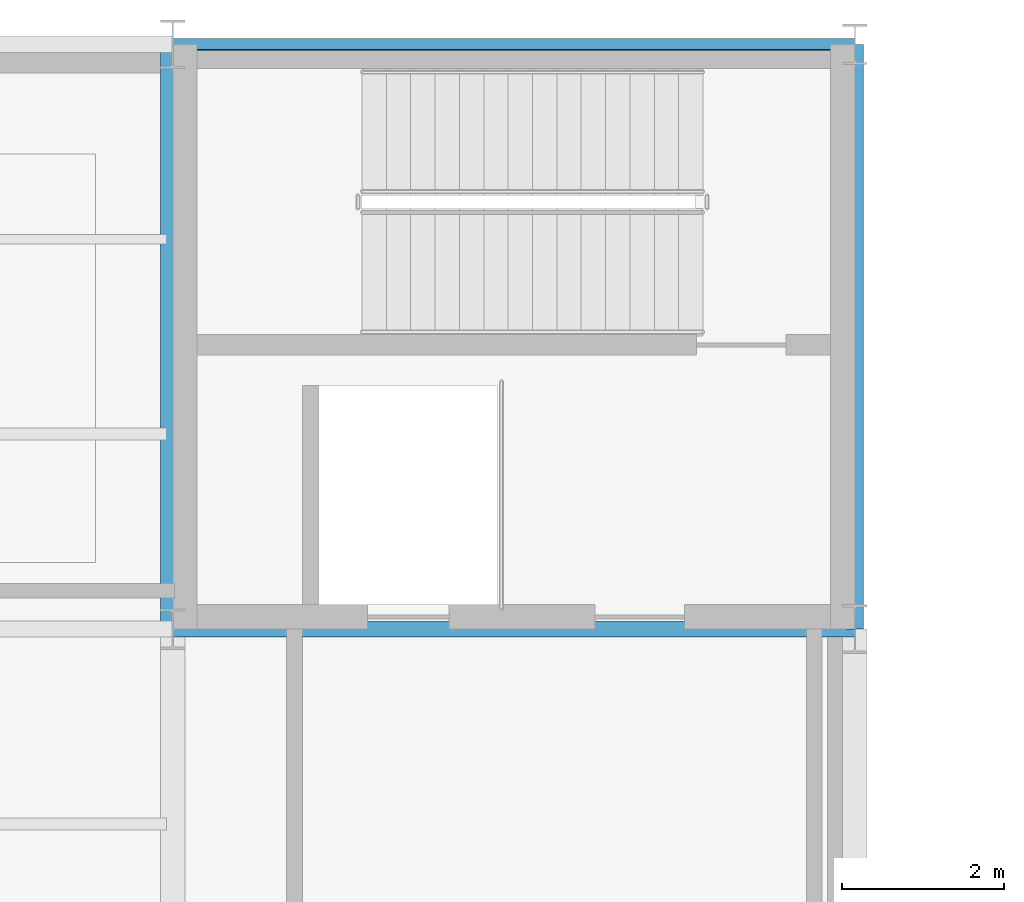
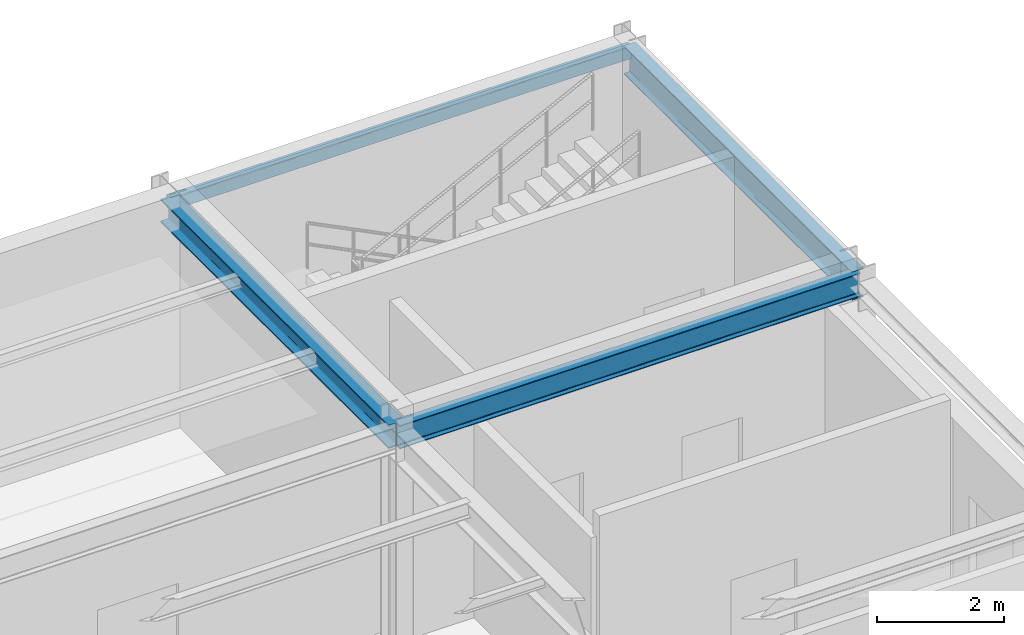
# One storey, part 60 of 106: 4 beams.
"""IFC4 building model written with IfcOpenShell, lengths in metres."""

from ifc_helpers import new_model, si_unit, derived_unit, direction, frame, origin, origin_2d, place, context, subcontext, project, spatial, hollow_rectangle, i_section, extrude, material, material_profile, profile_set, type_object, element, save


model = new_model("IFC4")

# Units and contexts
model_context = context("Model", 3, precision=1e-05, world=origin(), true_north=direction((0.0, 1.0)))
body_context = subcontext(model_context, "Body", "Model", "MODEL_VIEW")
ifc_project = project(units=[si_unit("LENGTHUNIT", "METRE"), si_unit("AREAUNIT", "SQUARE_METRE"), si_unit("VOLUMEUNIT", "CUBIC_METRE"), si_unit("PLANEANGLEUNIT", "RADIAN"), si_unit("MASSUNIT", "GRAM", prefix="KILO"), derived_unit("THERMALTRANSMITTANCEUNIT", [(si_unit("POWERUNIT", "WATT"), 1), (si_unit("AREAUNIT", "SQUARE_METRE"), -1), (si_unit("THERMODYNAMICTEMPERATUREUNIT", "KELVIN"), -1)])], contexts=[model_context])

# Site, building, storey
site_placement = place(None, origin())
site = spatial("IfcSite", under=ifc_project, at=site_placement, CompositionType="ELEMENT")
building_placement = place(site_placement, origin())
building = spatial("IfcBuilding", under=site, at=building_placement, Name="Yasenodar Specialist Clinic", CompositionType="ELEMENT")
storey_placement = place(building_placement, frame((0.0, 0.0, 4.5)))
storey = spatial("IfcBuildingStorey", under=building, at=storey_placement, Name="L01", CompositionType="ELEMENT", Elevation=4.5)

# Beams
ifc_material = material(Name="Steel S355", Category="steel")
ifc_material_profile_1 = material_profile(ifc_material, i_section(OverallWidth=0.300048828125, OverallDepth=0.449951171875, WebThickness=0.013916015625, FlangeThickness=0.02587890625, FilletRadius=0.027099609375, at=origin_2d()), Name="HEB 450")
ifc_profile_set_1 = profile_set([ifc_material_profile_1], Name="Steel S355")
beam_type_1 = type_object("IfcBeamType", Name="BM-HEB450", PredefinedType="BEAM", material=ifc_profile_set_1)
beam_1_placement = place(storey_placement, frame((113.39990234375, 104.39990234375, 4.02490234375), z_axis=(0.0, 1.0, 0.0), x_axis=(-1.0, 0.0, 0.0)))
element("IfcBeam", 1, at=beam_1_placement, inside=storey, type_object=beam_type_1, Name="L01 Primary N-S Girder", PredefinedType="BEAM", context=body_context, shape_type="SweptSolid", body=[
    extrude(i_section(OverallWidth=0.300048828125, OverallDepth=0.449951171875, WebThickness=0.013916015625, FlangeThickness=0.02587890625, FilletRadius=0.027099609375, at=origin_2d()), origin(), (0.0, 0.0, 1.0), 7.2001953125),
])
ifc_material_profile_2 = material_profile(ifc_material, i_section(OverallWidth=0.18994140625, OverallDepth=0.449951171875, WebThickness=0.009521484375, FlangeThickness=0.0146484375, FilletRadius=0.02099609375, at=origin_2d()), Name="IPE 450")
ifc_profile_set_2 = profile_set([ifc_material_profile_2], Name="Steel S355")
beam_type_2 = type_object("IfcBeamType", Name="BM-IPE450", PredefinedType="BEAM", material=ifc_profile_set_2)
beam_2_placement = place(storey_placement, frame((113.39990234375, 104.39990234375, 4.02490234375), z_axis=(1.0, 0.0, 0.0), x_axis=(0.0, 1.0, 0.0)))
element("IfcBeam", 2, at=beam_2_placement, inside=storey, type_object=beam_type_2, Name="L01 Primary E-W Girder", PredefinedType="BEAM", context=body_context, shape_type="SweptSolid", body=[
    extrude(i_section(OverallWidth=0.18994140625, OverallDepth=0.449951171875, WebThickness=0.009521484375, FlangeThickness=0.0146484375, FilletRadius=0.02099609375, at=origin_2d()), origin(), (0.0, 0.0, 1.0), 8.400146484375),
])
ifc_material_profile_3 = material_profile(ifc_material, i_section(OverallWidth=0.2099609375, OverallDepth=0.550048828125, WebThickness=0.010986328125, FlangeThickness=0.01708984375, FilletRadius=0.02392578125, at=origin_2d()), Name="IPE 550")
ifc_profile_set_3 = profile_set([ifc_material_profile_3], Name="Steel S355")
beam_type_3 = type_object("IfcBeamType", Name="BM-IPE550", PredefinedType="BEAM", material=ifc_profile_set_3)
beam_3_placement = place(storey_placement, frame((121.800048828125, 104.39990234375, 3.97509765625), z_axis=(0.0, 1.0, 0.0), x_axis=(-1.0, 0.0, 0.0)))
element("IfcBeam", 3, at=beam_3_placement, inside=storey, type_object=beam_type_3, Name="L01 Primary N-S Girder", PredefinedType="BEAM", context=body_context, shape_type="SweptSolid", body=[
    extrude(i_section(OverallWidth=0.2099609375, OverallDepth=0.550048828125, WebThickness=0.010986328125, FlangeThickness=0.01708984375, FilletRadius=0.02392578125, at=origin_2d()), origin(), (0.0, 0.0, 1.0), 7.2001953125),
])
ifc_material_profile_4 = material_profile(ifc_material, hollow_rectangle(XDim=0.14990234375, YDim=0.25, WallThickness=0.010009765625, InnerFilletRadius=0.014892578125, OuterFilletRadius=0.02490234375, at=origin_2d()), Name="RHS 250x150x10")
ifc_profile_set_4 = profile_set([ifc_material_profile_4], Name="Steel S355")
beam_type_4 = type_object("IfcBeamType", Name="SP-RHS250", PredefinedType="SPANDREL", material=ifc_profile_set_4)
beam_4_placement = place(storey_placement, frame((113.39990234375, 111.60009765625, 4.125), z_axis=(1.0, 0.0, 0.0), x_axis=(0.0, 1.0, 0.0)))
element("IfcBeam", 4, at=beam_4_placement, inside=storey, type_object=beam_type_4, Name="L01 Perimeter Spandrel Beam", PredefinedType="SPANDREL", context=body_context, shape_type="SweptSolid", body=[
    extrude(hollow_rectangle(XDim=0.14990234375, YDim=0.25, WallThickness=0.010009765625, InnerFilletRadius=0.014892578125, OuterFilletRadius=0.02490234375, at=origin_2d()), origin(), (0.0, 0.0, 1.0), 8.400146484375),
])

save(model, "model.ifc")
